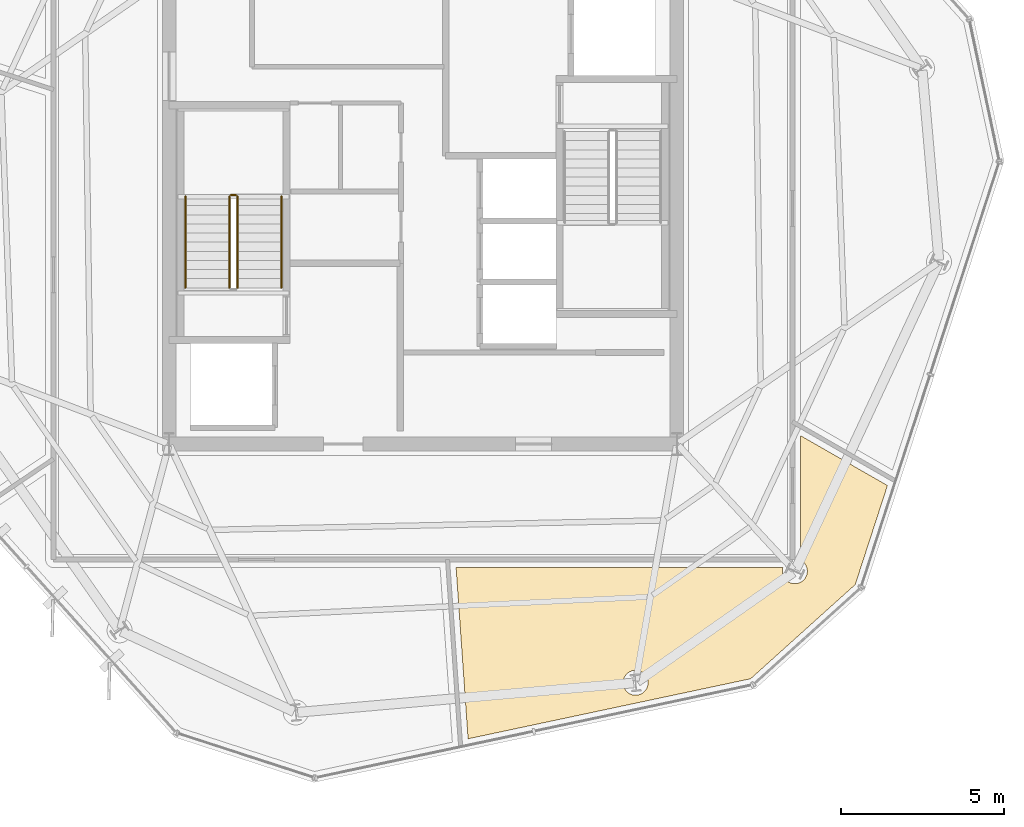
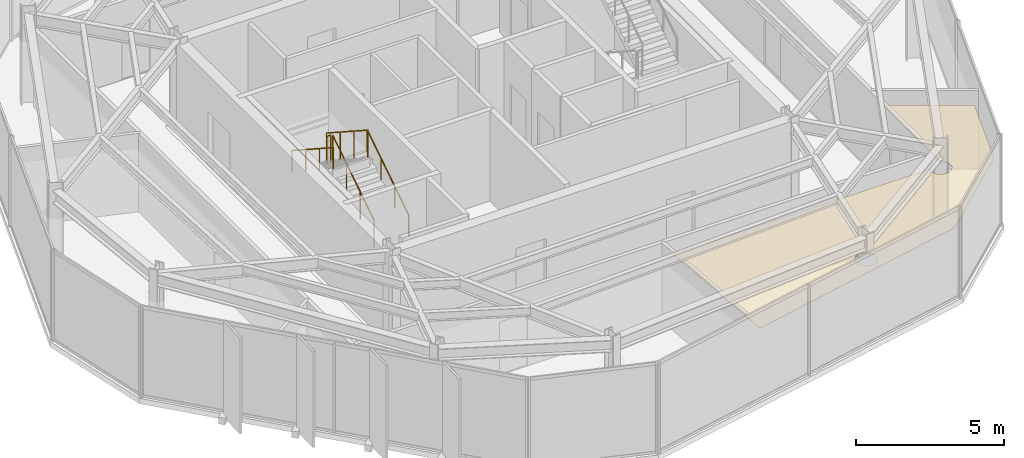
# One storey, part 11 of 13: 5 railings, 1 covering.
"""IFC4 building model written with IfcOpenShell, lengths in metres."""

from ifc_helpers import new_model, si_unit, direction, frame, origin, origin_2d, place, context, subcontext, project, spatial, polyline, circle, outline, extrude, material, layer, layer_set, type_object, element, save


model = new_model("IFC4")

# Units and contexts
model_context = context("Model", 3, precision=1e-05, world=origin(), true_north=direction((0.0, 1.0)))
body_context = subcontext(model_context, "Body", "Model", "MODEL_VIEW")
ifc_project = project(units=[si_unit("LENGTHUNIT", "METRE"), si_unit("AREAUNIT", "SQUARE_METRE"), si_unit("VOLUMEUNIT", "CUBIC_METRE"), si_unit("PLANEANGLEUNIT", "RADIAN"), si_unit("MASSUNIT", "GRAM", prefix="KILO")], contexts=[model_context])

# Site, building, storey
site_placement = place(None, origin())
site = spatial("IfcSite", under=ifc_project, at=site_placement, CompositionType="ELEMENT")
building_placement = place(site_placement, origin())
building = spatial("IfcBuilding", under=site, at=building_placement, Name="Kranzbogen Civic Tower", CompositionType="ELEMENT")
storey_placement = place(building_placement, frame((0.0, 0.0, 314.199951171875)))
storey = spatial("IfcBuildingStorey", under=building, at=storey_placement, Name="L76", CompositionType="ELEMENT", Elevation=314.199951171875)

# Railings
ifc_material_1 = material(Name="Steel S355", Category="steel")
railing_type_1 = type_object("IfcRailingType", Name="Internal Stair and Void Steel Guardrail 1150", PredefinedType="GUARDRAIL", material=ifc_material_1)
railing_1_placement = place(storey_placement, frame((19.300048828125, 22.60009765625, 0.181884765625)))
element("IfcRailing", 1, at=railing_1_placement, inside=storey, type_object=railing_type_1, Name="L76 ST-T1 stair guard 1", PredefinedType="GUARDRAIL", context=body_context, shape_type="SweptSolid", body=[
    extrude(circle(Radius=0.02392578125, at=origin_2d()), frame((0.0, 0.0, 1.1259765625), z_axis=(0.0, 0.83868413941, 0.544618136222), x_axis=(-1.0, 0.0, 0.0)), (0.0, 0.0, 1.0), 3.33837890625),
    extrude(circle(Radius=0.02099609375, at=origin_2d()), origin(), (0.0, 0.0, 1.0), 1.101806640625),
    extrude(circle(Radius=0.02099609375, at=origin_2d()), frame((0.0, 0.933349609375, 0.60595703125)), (0.0, 0.0, 1.0), 1.101806640625),
    extrude(circle(Radius=0.02099609375, at=origin_2d()), frame((0.0, 1.866455078125, 1.212158203125)), (0.0, 0.0, 1.0), 1.101806640625),
    extrude(circle(Radius=0.02099609375, at=origin_2d()), frame((0.0, 2.7998046875, 1.818115234375)), (0.0, 0.0, 1.0), 1.101806640625),
])
railing_2_placement = place(storey_placement, frame((19.25, 25.449951171875, 2.0)))
element("IfcRailing", 2, at=railing_2_placement, inside=storey, type_object=railing_type_1, Name="L76 ST-T1 stair guard 2", PredefinedType="GUARDRAIL", context=body_context, shape_type="SweptSolid", body=[
    extrude(circle(Radius=0.02392578125, at=origin_2d()), frame((0.0, 0.0, 1.1259765625), z_axis=(-1.0, 0.0, 0.0), x_axis=(0.0, -1.0, 0.0)), (0.0, 0.0, 1.0), 0.14990234375),
    extrude(circle(Radius=0.02099609375, at=origin_2d()), origin(), (0.0, 0.0, 1.0), 1.101806640625),
    extrude(circle(Radius=0.02099609375, at=origin_2d()), frame((-0.14990234375, 0.0, 0.0)), (0.0, 0.0, 1.0), 1.101806640625),
])
railing_3_placement = place(storey_placement, frame((19.050048828125, 25.39990234375, 2.181884765625)))
element("IfcRailing", 3, at=railing_3_placement, inside=storey, type_object=railing_type_1, Name="L76 ST-T1 stair guard 3", PredefinedType="GUARDRAIL", context=body_context, shape_type="SweptSolid", body=[
    extrude(circle(Radius=0.02392578125, at=origin_2d()), frame((0.0, 0.0, 1.1259765625), z_axis=(0.0, -0.83868413941, 0.544618136222), x_axis=(1.0, 0.0, 0.0)), (0.0, 0.0, 1.0), 3.33837890625),
    extrude(circle(Radius=0.02099609375, at=origin_2d()), origin(), (0.0, 0.0, 1.0), 1.101806640625),
    extrude(circle(Radius=0.02099609375, at=origin_2d()), frame((0.0, -0.933349609375, 0.60595703125)), (0.0, 0.0, 1.0), 1.101806640625),
    extrude(circle(Radius=0.02099609375, at=origin_2d()), frame((0.0, -1.866455078125, 1.212158203125)), (0.0, 0.0, 1.0), 1.101806640625),
    extrude(circle(Radius=0.02099609375, at=origin_2d()), frame((0.0, -2.7998046875, 1.818115234375)), (0.0, 0.0, 1.0), 1.101806640625),
])

# Covering
ifc_material_2 = material(Name="Perforated Acoustic Gypsum Ceiling")
ifc_layer = layer(ifc_material_2, 0.02490234375, Name="Perforated Acoustic Gypsum Ceiling")
ifc_layer_set = layer_set([ifc_layer], Name="Perforated Acoustic Gypsum Ceiling")
covering_type = type_object("IfcCoveringType", Name="Perforated Acoustic Mineral Ceiling Tile 25 mm", PredefinedType="CEILING", material=ifc_layer_set)
covering_placement = place(storey_placement, frame((0.0, 0.0, 2.75)))
element("IfcCovering", 4, at=covering_placement, inside=storey, type_object=covering_type, Name="L76 Duty Crew Control Room acoustic ceiling", PredefinedType="CEILING", context=body_context, shape_type="SweptSolid", body=[
    extrude(outline(polyline([(35.06689453125, 10.5869140625), (26.385986328125, 8.741943359375), (26.01708984375, 14.0048828125), (36.05908203125, 14.0048828125), (36.05810546875, 14.0009765625), (36.049072265625, 13.965087890625), (36.04296875, 13.927978515625), (36.0419921875, 13.889892578125), (36.04296875, 13.85205078125), (36.049072265625, 13.81494140625), (36.05810546875, 13.779052734375), (36.071044921875, 13.742919921875), (36.0869140625, 13.708984375), (36.10595703125, 13.677001953125), (36.12890625, 13.64697265625), (36.154052734375, 13.618896484375), (36.181884765625, 13.593994140625), (36.2119140625, 13.571044921875), (36.243896484375, 13.552001953125), (36.278076171875, 13.535888671875), (36.31396484375, 13.52294921875), (36.35009765625, 13.513916015625), (36.386962890625, 13.508056640625), (36.425048828125, 13.507080078125), (36.462890625, 13.508056640625), (36.5, 13.513916015625), (36.535888671875, 13.52294921875), (36.572021484375, 13.535888671875), (36.60595703125, 13.552001953125), (36.637939453125, 13.571044921875), (36.66796875, 13.593994140625), (36.696044921875, 13.618896484375), (36.720947265625, 13.64697265625), (36.743896484375, 13.677001953125), (36.762939453125, 13.708984375), (36.779052734375, 13.742919921875), (36.7919921875, 13.779052734375), (36.801025390625, 13.81494140625), (36.806884765625, 13.85205078125), (36.80810546875, 13.889892578125), (36.806884765625, 13.927978515625), (36.801025390625, 13.965087890625), (36.7919921875, 14.0009765625), (36.779052734375, 14.037109375), (36.762939453125, 14.071044921875), (36.743896484375, 14.10302734375), (36.720947265625, 14.133056640625), (36.696044921875, 14.160888671875), (36.66796875, 14.18603515625), (36.637939453125, 14.208984375), (36.60595703125, 14.22802734375), (36.593994140625, 14.23388671875), (36.593994140625, 14.235107421875), (36.594970703125, 14.240966796875), (36.594970703125, 14.25), (36.594970703125, 18.06005859375), (39.27099609375, 16.52392578125), (38.281982421875, 13.48095703125), (35.06689453125, 10.5869140625)]), holes=[polyline([(31.886962890625, 10.31689453125), (31.87109375, 10.282958984375), (31.85205078125, 10.2509765625), (31.8291015625, 10.220947265625), (31.803955078125, 10.193115234375), (31.77587890625, 10.16796875), (31.74609375, 10.14501953125), (31.714111328125, 10.1259765625), (31.679931640625, 10.110107421875), (31.64404296875, 10.096923828125), (31.60791015625, 10.087890625), (31.571044921875, 10.08203125), (31.532958984375, 10.0810546875), (31.4951171875, 10.08203125), (31.4580078125, 10.087890625), (31.422119140625, 10.096923828125), (31.385986328125, 10.110107421875), (31.35205078125, 10.1259765625), (31.320068359375, 10.14501953125), (31.2900390625, 10.16796875), (31.261962890625, 10.193115234375), (31.237060546875, 10.220947265625), (31.214111328125, 10.2509765625), (31.195068359375, 10.282958984375), (31.178955078125, 10.31689453125), (31.166015625, 10.35302734375), (31.156982421875, 10.388916015625), (31.15087890625, 10.426025390625), (31.14990234375, 10.464111328125), (31.15087890625, 10.501953125), (31.156982421875, 10.5390625), (31.166015625, 10.574951171875), (31.178955078125, 10.611083984375), (31.195068359375, 10.64501953125), (31.214111328125, 10.677001953125), (31.237060546875, 10.70703125), (31.261962890625, 10.735107421875), (31.2900390625, 10.760009765625), (31.320068359375, 10.782958984375), (31.35205078125, 10.802001953125), (31.385986328125, 10.818115234375), (31.422119140625, 10.8310546875), (31.4580078125, 10.840087890625), (31.4951171875, 10.845947265625), (31.532958984375, 10.846923828125), (31.571044921875, 10.845947265625), (31.60791015625, 10.840087890625), (31.64404296875, 10.8310546875), (31.679931640625, 10.818115234375), (31.714111328125, 10.802001953125), (31.74609375, 10.782958984375), (31.77587890625, 10.760009765625), (31.803955078125, 10.735107421875), (31.8291015625, 10.70703125), (31.85205078125, 10.677001953125), (31.87109375, 10.64501953125), (31.886962890625, 10.611083984375), (31.89990234375, 10.574951171875), (31.908935546875, 10.5390625), (31.9150390625, 10.501953125), (31.916015625, 10.464111328125), (31.9150390625, 10.426025390625), (31.908935546875, 10.388916015625), (31.89990234375, 10.35302734375), (31.886962890625, 10.31689453125)])]), origin(), (0.0, 0.0, 1.0), 0.025146484375),
])

# Railings
ifc_material_3 = material(Name="Pale Anodised Aluminium", Category="aluminium")
railing_type_2 = type_object("IfcRailingType", Name="Tubular Stainless Stair Wall Handrail 900", PredefinedType="HANDRAIL", material=ifc_material_3)
railing_4_placement = place(storey_placement, frame((20.64990234375, 22.60009765625, 0.181884765625)))
element("IfcRailing", 5, at=railing_4_placement, inside=storey, type_object=railing_type_2, Name="L76 ST-T1 stair handrail 1", PredefinedType="HANDRAIL", context=body_context, shape_type="SweptSolid", body=[
    extrude(circle(Radius=0.02392578125, at=origin_2d()), frame((0.0, 0.0, 0.8759765625), z_axis=(0.0, 0.83868413941, 0.544618136222), x_axis=(-1.0, 0.0, 0.0)), (0.0, 0.0, 1.0), 3.33837890625),
    extrude(circle(Radius=0.02099609375, at=origin_2d()), origin(), (0.0, 0.0, 1.0), 0.851806640625),
    extrude(circle(Radius=0.02099609375, at=origin_2d()), frame((0.0, 0.933349609375, 0.60595703125)), (0.0, 0.0, 1.0), 0.851806640625),
    extrude(circle(Radius=0.02099609375, at=origin_2d()), frame((0.0, 1.866455078125, 1.212158203125)), (0.0, 0.0, 1.0), 0.851806640625),
    extrude(circle(Radius=0.02099609375, at=origin_2d()), frame((0.0, 2.7998046875, 1.818115234375)), (0.0, 0.0, 1.0), 0.851806640625),
])
railing_5_placement = place(storey_placement, frame((17.699951171875, 25.39990234375, 2.181884765625)))
element("IfcRailing", 6, at=railing_5_placement, inside=storey, type_object=railing_type_2, Name="L76 ST-T1 stair handrail 2", PredefinedType="HANDRAIL", context=body_context, shape_type="SweptSolid", body=[
    extrude(circle(Radius=0.02392578125, at=origin_2d()), frame((0.0, 0.0, 0.8759765625), z_axis=(0.0, -0.83868413941, 0.544618136222), x_axis=(1.0, 0.0, 0.0)), (0.0, 0.0, 1.0), 3.33837890625),
    extrude(circle(Radius=0.02099609375, at=origin_2d()), origin(), (0.0, 0.0, 1.0), 0.851806640625),
    extrude(circle(Radius=0.02099609375, at=origin_2d()), frame((0.0, -0.933349609375, 0.60595703125)), (0.0, 0.0, 1.0), 0.851806640625),
    extrude(circle(Radius=0.02099609375, at=origin_2d()), frame((0.0, -1.866455078125, 1.212158203125)), (0.0, 0.0, 1.0), 0.851806640625),
    extrude(circle(Radius=0.02099609375, at=origin_2d()), frame((0.0, -2.7998046875, 1.818115234375)), (0.0, 0.0, 1.0), 0.851806640625),
])

save(model, "model.ifc")
